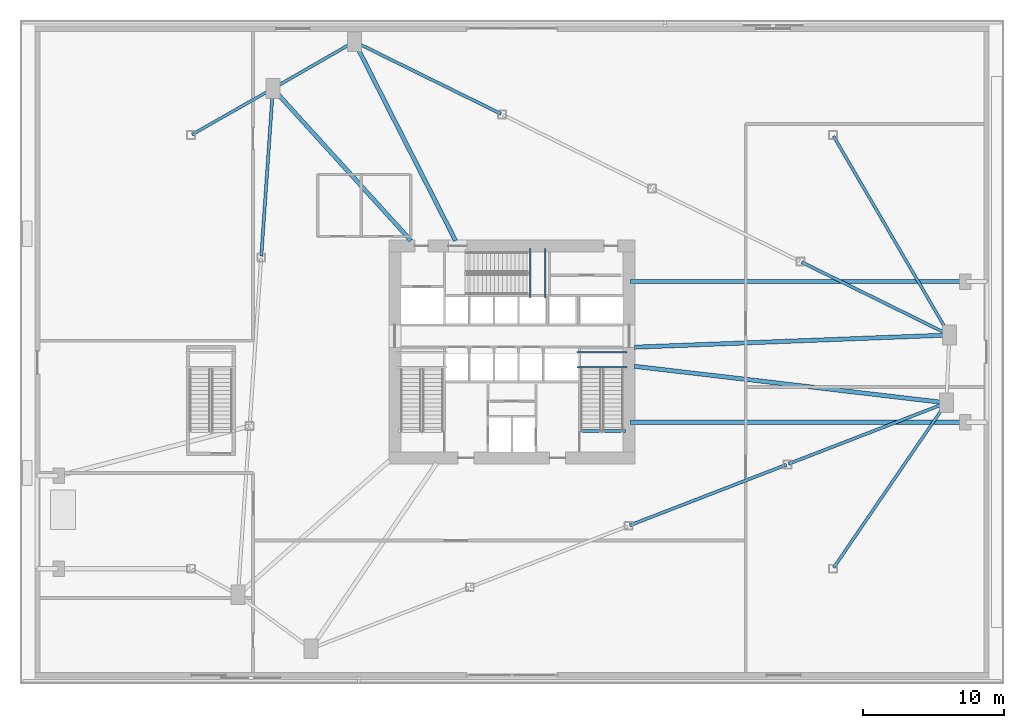
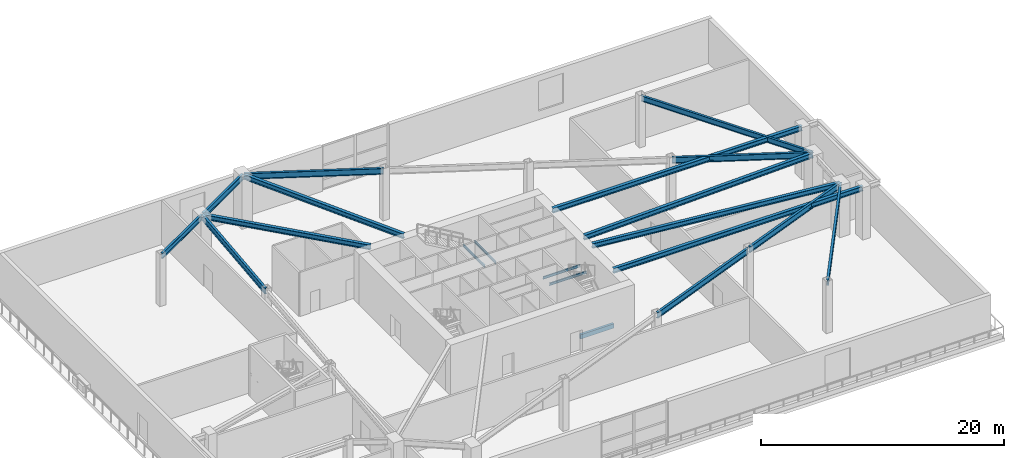
# One storey, part 5 of 15: 20 beams.
"""IFC4 building model written with IfcOpenShell, lengths in metres."""

import ifcopenshell
import ifcopenshell.guid

model = None  # the IFC model being written
_history = None  # IfcOwnerHistory: only IFC2X3 demands one
_inside = {}  # id of a spatial element -> (the spatial element, [elements in it])
_under = {}  # id of a project, library or spatial element -> (it, [spatial elements below it])
_declared = {}  # id of a project -> (the project, [libraries it declares])
_typed = {}  # id of a type object -> (the type object, [elements of that type])
_made_of = {}  # id of a material, layer set ... -> (it, [elements and type objects made of it])


def new_model(schema):
    """Start an empty IFC model of exactly this schema.

    Asked for "IFC4X3", IfcOpenShell would pick the latest addendum, in which some entities
    have other attributes; the version numbers below select the first issue.
    IFC2X3 requires an IfcOwnerHistory on every rooted entity: one is made here for all.
    """
    global model, _history
    if schema == "IFC4X3":
        model = ifcopenshell.file(schema_version=(4, 3, 0, 0))
    else:
        model = ifcopenshell.file(schema=schema)
    _inside.clear()
    _under.clear()
    _declared.clear()
    _typed.clear()
    _made_of.clear()
    _history = None
    if model.schema == "IFC2X3":
        org = make("IfcOrganization", Name="unknown")
        user = make(
            "IfcPersonAndOrganization",
            ThePerson=make("IfcPerson", FamilyName="unknown"),
            TheOrganization=org,
        )
        app = make(
            "IfcApplication",
            ApplicationDeveloper=org,
            Version="unknown",
            ApplicationFullName="unknown",
            ApplicationIdentifier="unknown",
        )
        _history = make(
            "IfcOwnerHistory",
            OwningUser=user,
            OwningApplication=app,
            ChangeAction="ADDED",
            CreationDate=0,
        )
    return model


def make(cls, **values):
    """One entity of the class cls with the attributes given. An attribute that is None is left unset."""
    return model.create_entity(
        cls, **{name: value for name, value in values.items() if value is not None}
    )


def rooted(cls, **values):
    """An entity with a GlobalId (a new one), such as an element, a storey or a relation."""
    return make(cls, GlobalId=ifcopenshell.guid.new(), OwnerHistory=_history, **values)


def si_unit(unit_type, name, prefix=None):
    """IfcSIUnit, for example si_unit("LENGTHUNIT", "METRE", prefix="MILLI")."""
    return make("IfcSIUnit", UnitType=unit_type, Prefix=prefix, Name=name)


def assignment(units):
    """IfcUnitAssignment: the units of a project."""
    return None if units is None else make("IfcUnitAssignment", Units=units)


def point(xyz):
    """IfcCartesianPoint."""
    return None if xyz is None else make("IfcCartesianPoint", Coordinates=xyz)


def direction(xyz):
    """IfcDirection."""
    return None if xyz is None else make("IfcDirection", DirectionRatios=xyz)


def frame(location, z_axis=None, x_axis=None):
    """IfcAxis2Placement3D, a coordinate frame: its origin and axes. An axis left out is left unset."""
    return make(
        "IfcAxis2Placement3D",
        Location=point(location),
        Axis=direction(z_axis),
        RefDirection=direction(x_axis),
    )


def frame_2d(location, x_axis=None):
    """IfcAxis2Placement2D, a coordinate frame in the plane: its origin and x axis."""
    return make(
        "IfcAxis2Placement2D", Location=point(location), RefDirection=direction(x_axis)
    )


def origin():
    """The frame at (0, 0, 0) with its axes left unset."""
    return frame((0.0, 0.0, 0.0))


def origin_2d():
    """The frame at (0, 0) in the plane with its x axis left unset."""
    return frame_2d((0.0, 0.0))


def place(relative_to, where):
    """IfcLocalPlacement: puts the frame where relative to a parent placement (None: the world)."""
    return make(
        "IfcLocalPlacement", PlacementRelTo=relative_to, RelativePlacement=where
    )


def context(
    kind, dimensions, precision=None, world=None, true_north=None, identifier=None
):
    """IfcGeometricRepresentationContext, for example the 3D "Model" context."""
    return make(
        "IfcGeometricRepresentationContext",
        ContextIdentifier=identifier,
        ContextType=kind,
        CoordinateSpaceDimension=dimensions,
        Precision=precision,
        WorldCoordinateSystem=world,
        TrueNorth=true_north,
    )


def subcontext(parent, identifier, kind, view, scale=None):
    """IfcGeometricRepresentationSubContext, for example "Body" below "Model"."""
    return make(
        "IfcGeometricRepresentationSubContext",
        ContextIdentifier=identifier,
        ContextType=kind,
        ParentContext=parent,
        TargetScale=scale,
        TargetView=view,
    )


def project(units=None, contexts=None):
    """IfcProject with its units and contexts."""
    return rooted(
        "IfcProject",
        Name="project",
        RepresentationContexts=contexts,
        UnitsInContext=assignment(units),
    )


def spatial(cls, under=None, at=None, **own):
    """A site, building, storey or space (cls), placed at a placement, below another one or the project."""
    s = rooted(cls, ObjectPlacement=at, **own)
    if under is not None:
        _under.setdefault(under.id(), (under, []))[1].append(s)
    return s


def profile(cls, at=None, kind="AREA", **sizes):
    """A parametric profile (cls). Its sizes go by their IFC names, for example OverallWidth=200.0."""
    return make(cls, ProfileType=kind, Position=at, **sizes)


def rectangle(**sizes):
    """IfcRectangleProfileDef."""
    return profile("IfcRectangleProfileDef", **sizes)


def i_section(**sizes):
    """IfcIShapeProfileDef."""
    return profile("IfcIShapeProfileDef", **sizes)


def extrude(swept, where, along, depth):
    """IfcExtrudedAreaSolid: the profile swept, set in the frame where, extruded along a direction by depth."""
    return make(
        "IfcExtrudedAreaSolid",
        SweptArea=swept,
        Position=where,
        ExtrudedDirection=direction(along),
        Depth=depth,
    )


def shape(context_of_items, identifier, shape_type, items):
    """IfcShapeRepresentation: the items that make up one representation, for example the "Body"."""
    return make(
        "IfcShapeRepresentation",
        ContextOfItems=context_of_items,
        RepresentationIdentifier=identifier,
        RepresentationType=shape_type,
        Items=items,
    )


def source(mapping_origin, context_of_items, identifier, shape_type, items):
    """IfcRepresentationMap: a shape defined once, which mapped items show again and again."""
    return make(
        "IfcRepresentationMap",
        MappingOrigin=mapping_origin,
        MappedRepresentation=shape(context_of_items, identifier, shape_type, items),
    )


def transform(
    local_origin,
    x_axis=None,
    y_axis=None,
    z_axis=None,
    scale=None,
    scale2=None,
    scale3=None,
    uniform=True,
):
    """IfcCartesianTransformationOperator3D, or its non-uniform kind. x_axis, y_axis, z_axis: its Axis1, 2, 3."""
    if uniform:
        return make(
            "IfcCartesianTransformationOperator3D",
            Axis1=direction(x_axis),
            Axis2=direction(y_axis),
            LocalOrigin=point(local_origin),
            Scale=scale,
            Axis3=direction(z_axis),
        )
    return make(
        "IfcCartesianTransformationOperator3DnonUniform",
        Axis1=direction(x_axis),
        Axis2=direction(y_axis),
        LocalOrigin=point(local_origin),
        Scale=scale,
        Axis3=direction(z_axis),
        Scale2=scale2,
        Scale3=scale3,
    )


def mapped(mapping_source, mapping_target):
    """IfcMappedItem: shows the shape of a source again, moved by a transform."""
    return make(
        "IfcMappedItem", MappingSource=mapping_source, MappingTarget=mapping_target
    )


def material(Name=None, Category=None):
    """IfcMaterial."""
    return make("IfcMaterial", Name=Name, Category=Category)


def material_profile(
    of_material, cross_section, Name=None, Category=None, Priority=None
):
    """IfcMaterialProfile: a cross section and its material."""
    return make(
        "IfcMaterialProfile",
        Name=Name,
        Material=of_material,
        Profile=cross_section,
        Priority=Priority,
        Category=Category,
    )


def profile_set(profiles, Name=None, composite=None):
    """IfcMaterialProfileSet."""
    return make(
        "IfcMaterialProfileSet",
        Name=Name,
        MaterialProfiles=profiles,
        CompositeProfile=composite,
    )


def made_of(thing, what):
    """Note that an element or type object is made of a material, layer set ...; save() writes the relation."""
    if what is not None:
        _made_of.setdefault(what.id(), (what, []))[1].append(thing)
    return thing


def type_object(cls, material=None, **own):
    """A type object (cls), such as IfcWallType, which elements share."""
    return made_of(rooted(cls, **own), material)


def element(
    cls,
    number,
    at=None,
    inside=None,
    cuts=None,
    type_object=None,
    material=None,
    context=None,
    identifier="Body",
    shape_type=None,
    held_by="IfcProductDefinitionShape",
    body=None,
    shapes=None,
    **own,
):
    """One element of the class cls, such as IfcWall. Its Tag is "e" and its number.

    at: its placement. inside: the storey or other place that contains it. cuts: it is an
    opening in that element (IfcRelVoidsElement). A single representation is given by context,
    identifier, shape_type and body (its items); several are given by shapes. held_by: the class
    of the entity that holds the representations. save() writes the other relations.
    """
    e = rooted(cls, Tag="e%d" % number, ObjectPlacement=at, **own)
    if body is not None:
        shapes = [shape(context, identifier, shape_type, body)]
    if shapes is not None:
        e.Representation = make(held_by, Representations=shapes)
    if inside is not None:
        _inside.setdefault(inside.id(), (inside, []))[1].append(e)
    if cuts is not None:
        rooted(
            "IfcRelVoidsElement", RelatingBuildingElement=cuts, RelatedOpeningElement=e
        )
    if type_object is not None:
        _typed.setdefault(type_object.id(), (type_object, []))[1].append(e)
    return made_of(e, material)


def aggregate(whole, parts):
    """IfcRelAggregates: a whole, such as a stair, and the parts it consists of."""
    return rooted("IfcRelAggregates", RelatingObject=whole, RelatedObjects=parts)


def save(model, path):
    """Write the relations noted so far, then the file.

    IfcRelAggregates (storeys below a building ...), IfcRelContainedInSpatialStructure (elements
    in a storey), IfcRelDefinesByType, IfcRelAssociatesMaterial and IfcRelDeclares: one each for
    every whole, place, type object, material and project.
    """
    for whole, parts in _under.values():
        aggregate(whole, parts)
    for where, things in _inside.values():
        rooted(
            "IfcRelContainedInSpatialStructure",
            RelatedElements=things,
            RelatingStructure=where,
        )
    for kind, things in _typed.values():
        rooted("IfcRelDefinesByType", RelatedObjects=things, RelatingType=kind)
    for what, things in _made_of.values():
        rooted("IfcRelAssociatesMaterial", RelatedObjects=things, RelatingMaterial=what)
    for by, libraries in _declared.values():
        rooted("IfcRelDeclares", RelatingContext=by, RelatedDefinitions=libraries)
    model.write(path)


model = new_model("IFC4")

# Units and contexts
model_context = context("Model", 3, precision=1e-05, world=origin(), true_north=direction((0.0, 1.0)))
body_context = subcontext(model_context, "Body", "Model", "MODEL_VIEW")
ifc_project = project(units=[si_unit("LENGTHUNIT", "METRE"), si_unit("AREAUNIT", "SQUARE_METRE"), si_unit("VOLUMEUNIT", "CUBIC_METRE"), si_unit("PLANEANGLEUNIT", "RADIAN"), si_unit("MASSUNIT", "GRAM", prefix="KILO")], contexts=[model_context])

# Site, building, storey
site_placement = place(None, origin())
site = spatial("IfcSite", under=ifc_project, at=site_placement, CompositionType="ELEMENT")
building_placement = place(site_placement, origin())
building = spatial("IfcBuilding", under=site, at=building_placement, Name="Olszyna Solenne Hotel", CompositionType="ELEMENT")
storey_placement = place(building_placement, frame((0.0, 0.0, 10.199951171875)))
storey = spatial("IfcBuildingStorey", under=building, at=storey_placement, Name="L02", CompositionType="ELEMENT", Elevation=10.199951171875)

# Beams
ifc_material_1 = material(Name="Steel S355J2", Category="steel")
ifc_material_profile_1 = material_profile(ifc_material_1, i_section(OverallWidth=0.300048828125, OverallDepth=0.489990234375, WebThickness=0.011962890625, FlangeThickness=0.02294921875, at=origin_2d()), Name="HEA 500", Category="load-bearing")
ifc_profile_set_1 = profile_set([ifc_material_profile_1], Name="Steel S355J2")
beam_type_1 = type_object("IfcBeamType", Name="BM-G1", PredefinedType="BEAM", material=ifc_profile_set_1)
shared_shape_1 = source(origin(), body_context, "Body", "SweptSolid", [
    extrude(i_section(OverallWidth=0.300048828125, OverallDepth=0.489990234375, WebThickness=0.011962890625, FlangeThickness=0.02294921875, at=origin_2d()), origin(), (0.0, 0.0, 1.0), 22.2294921875),
])
beam_1_placement = place(storey_placement, frame((68.778564453125, 22.993896484375, 4.8349609375), z_axis=(-0.993206789888, 0.116362676665, 0.0), x_axis=(-0.116362676665, -0.993206789888, 0.0)))
element("IfcBeam", 1, at=beam_1_placement, inside=storey, type_object=beam_type_1, Name="Podium radial girder BM-G1 B-L02-0090", PredefinedType="BEAM", context=body_context, shape_type="MappedRepresentation", body=[
    mapped(shared_shape_1, transform((0.0, 0.0, 0.0), x_axis=(1.0, 0.0, 0.0), y_axis=(0.0, 1.0, 0.0), z_axis=(0.0, 0.0, 1.0), scale=1.0)),
])
shared_shape_2 = source(origin(), body_context, "Body", "SweptSolid", [
    extrude(i_section(OverallWidth=0.300048828125, OverallDepth=0.489990234375, WebThickness=0.011962890625, FlangeThickness=0.02294921875, at=origin_2d()), origin(), (0.0, 0.0, 1.0), 22.309326171875),
])
beam_2_placement = place(storey_placement, frame((68.99267578125, 27.7998046875, 4.8349609375), z_axis=(-0.999251460368, -0.038684867238, 0.0), x_axis=(0.038684867238, -0.999251460368, 0.0)))
element("IfcBeam", 2, at=beam_2_placement, inside=storey, type_object=beam_type_1, Name="Podium radial girder BM-G1 B-L02-0092", PredefinedType="BEAM", context=body_context, shape_type="MappedRepresentation", body=[
    mapped(shared_shape_2, transform((0.0, 0.0, 0.0), x_axis=(1.0, 0.0, 0.0), y_axis=(0.0, 1.0, 0.0), z_axis=(0.0, 0.0, 1.0), scale=1.0)),
])
shared_shape_3 = source(origin(), body_context, "Body", "SweptSolid", [
    extrude(i_section(OverallWidth=0.300048828125, OverallDepth=0.489990234375, WebThickness=0.011962890625, FlangeThickness=0.02294921875, at=origin_2d()), origin(), (0.0, 0.0, 1.0), 15.77392578125),
])
beam_3_placement = place(storey_placement, frame((26.84521484375, 48.5703125, 4.8349609375), z_axis=(0.452702772285, -0.891661482832, 0.0), x_axis=(0.891661482832, 0.452702772285, 0.0)))
element("IfcBeam", 3, at=beam_3_placement, inside=storey, type_object=beam_type_1, Name="Podium radial girder BM-G1 B-L02-0094", PredefinedType="BEAM", context=body_context, shape_type="MappedRepresentation", body=[
    mapped(shared_shape_3, transform((0.0, 0.0, 0.0), x_axis=(1.0, 0.0, 0.0), y_axis=(0.0, 1.0, 0.0), z_axis=(0.0, 0.0, 1.0), scale=1.0)),
])
ifc_material_profile_2 = material_profile(ifc_material_1, i_section(OverallWidth=0.2099609375, OverallDepth=0.550048828125, WebThickness=0.010986328125, FlangeThickness=0.01708984375, at=origin_2d()), Name="IPE 550", Category="load-bearing")
ifc_profile_set_2 = profile_set([ifc_material_profile_2], Name="Steel S355J2")
beam_type_2 = type_object("IfcBeamType", Name="BM-F2", PredefinedType="BEAM", material=ifc_profile_set_2)
shared_shape_4 = source(origin(), body_context, "Body", "SweptSolid", [
    extrude(i_section(OverallWidth=0.2099609375, OverallDepth=0.550048828125, WebThickness=0.010986328125, FlangeThickness=0.01708984375, at=origin_2d()), origin(), (0.0, 0.0, 1.0), 14.1162109375),
])
beam_4_placement = place(storey_placement, frame((60.84521484375, 11.26611328125, 4.804931640625), z_axis=(0.564440227012, 0.825473942733, 0.0), x_axis=(-0.825473942733, 0.564440227012, 0.0)))
element("IfcBeam", 4, at=beam_4_placement, inside=storey, type_object=beam_type_2, Name="Podium terrace girder BM-F2 B-L02-0113", PredefinedType="BEAM", context=body_context, shape_type="MappedRepresentation", body=[
    mapped(shared_shape_4, transform((0.0, 0.0, 0.0), x_axis=(1.0, 0.0, 0.0), y_axis=(0.0, 1.0, 0.0), z_axis=(0.0, 0.0, 1.0), scale=1.0)),
])
shared_shape_5 = source(origin(), body_context, "Body", "SweptSolid", [
    extrude(i_section(OverallWidth=0.2099609375, OverallDepth=0.550048828125, WebThickness=0.010986328125, FlangeThickness=0.01708984375, at=origin_2d()), origin(), (0.0, 0.0, 1.0), 16.271484375),
])
beam_5_placement = place(storey_placement, frame((60.84033203125, 41.930908203125, 4.804931640625), z_axis=(0.503453956375, -0.864022056322, 0.0), x_axis=(0.864022056322, 0.503453956375, 0.0)))
element("IfcBeam", 5, at=beam_5_placement, inside=storey, type_object=beam_type_2, Name="Podium terrace girder BM-F2 B-L02-0114", PredefinedType="BEAM", context=body_context, shape_type="MappedRepresentation", body=[
    mapped(shared_shape_5, transform((0.0, 0.0, 0.0), x_axis=(1.0, 0.0, 0.0), y_axis=(0.0, 1.0, 0.0), z_axis=(0.0, 0.0, 1.0), scale=1.0)),
])
shared_shape_6 = source(origin(), body_context, "Body", "SweptSolid", [
    extrude(i_section(OverallWidth=0.300048828125, OverallDepth=0.489990234375, WebThickness=0.011962890625, FlangeThickness=0.02294921875, at=origin_2d()), origin(), (0.0, 0.0, 1.0), 14.502197265625),
])
beam_6_placement = place(storey_placement, frame((21.068115234375, 45.250244140625, 4.8349609375), z_axis=(0.672176589992, -0.740390864252, 0.0), x_axis=(0.740390864252, 0.672176589992, 0.0)))
element("IfcBeam", 6, at=beam_6_placement, inside=storey, type_object=beam_type_1, Name="Podium radial girder BM-G1 B-L02-0096", PredefinedType="BEAM", context=body_context, shape_type="MappedRepresentation", body=[
    mapped(shared_shape_6, transform((0.0, 0.0, 0.0), x_axis=(1.0, 0.0, 0.0), y_axis=(0.0, 1.0, 0.0), z_axis=(0.0, 0.0, 1.0), scale=1.0)),
])
shared_shape_7 = source(origin(), body_context, "Body", "SweptSolid", [
    extrude(i_section(OverallWidth=0.300048828125, OverallDepth=0.489990234375, WebThickness=0.011962890625, FlangeThickness=0.02294921875, at=origin_2d()), origin(), (0.0, 0.0, 1.0), 23.739990234375),
])
for number, where, z_axis, x_axis, name in (
    (7, (46.39990234375, 21.60009765625, 4.8349609375), (1.0, 0.0, 0.0), (0.0, 1.0, 0.0), "Terrace East interior back-span girder BM-G1 B-L02-0106"),
    (8, (46.39990234375, 31.60009765625, 4.8349609375), (1.0, 0.0, 0.0), (0.0, 1.0, 0.0), "Terrace East interior back-span girder BM-G1 B-L02-0108"),
):
    element("IfcBeam", number, at=place(storey_placement, frame(where, z_axis=z_axis, x_axis=x_axis)), inside=storey, type_object=beam_type_1, Name=name, PredefinedType="BEAM", context=body_context, shape_type="MappedRepresentation", body=[
        mapped(shared_shape_7, transform((0.0, 0.0, 0.0), x_axis=(1.0, 0.0, 0.0), y_axis=(0.0, 1.0, 0.0), z_axis=(0.0, 0.0, 1.0), scale=1.0)),
    ])
shared_shape_8 = source(origin(), body_context, "Body", "SweptSolid", [
    extrude(i_section(OverallWidth=0.2099609375, OverallDepth=0.550048828125, WebThickness=0.010986328125, FlangeThickness=0.01708984375, at=origin_2d()), origin(), (0.0, 0.0, 1.0), 6.5302734375),
])
beam_7_placement = place(storey_placement, frame((15.26953125, 42.03955078125, 4.804931640625), z_axis=(0.869086244162, 0.494660590919, 0.0), x_axis=(-0.494660590919, 0.869086244162, 0.0)))
element("IfcBeam", 9, at=beam_7_placement, inside=storey, type_object=beam_type_2, Name="Podium terrace girder BM-F2 B-L02-0112", PredefinedType="BEAM", context=body_context, shape_type="MappedRepresentation", body=[
    mapped(shared_shape_8, transform((0.0, 0.0, 0.0), x_axis=(1.0, 0.0, 0.0), y_axis=(0.0, 1.0, 0.0), z_axis=(0.0, 0.0, 1.0), scale=1.0)),
])
ifc_material_profile_3 = material_profile(ifc_material_1, i_section(OverallWidth=0.219970703125, OverallDepth=0.60009765625, WebThickness=0.011962890625, FlangeThickness=0.01904296875, at=origin_2d()), Name="IPE 600", Category="load-bearing")
ifc_profile_set_3 = profile_set([ifc_material_profile_3], Name="Steel S355J2")
beam_type_3 = type_object("IfcBeamType", Name="BM-F1", PredefinedType="BEAM", material=ifc_profile_set_3)
shared_shape_9 = source(origin(), body_context, "Body", "SweptSolid", [
    extrude(i_section(OverallWidth=0.219970703125, OverallDepth=0.60009765625, WebThickness=0.011962890625, FlangeThickness=0.01904296875, at=origin_2d()), origin(), (0.0, 0.0, 1.0), 11.6201171875),
])
beam_8_placement = place(storey_placement, frame((69.000732421875, 27.83837890625, 4.780029296875), z_axis=(-0.896896785097, 0.442239931352, 0.0), x_axis=(-0.442239931352, -0.896896785097, 0.0)))
element("IfcBeam", 10, at=beam_8_placement, inside=storey, type_object=beam_type_3, Name="Podium ring girder BM-F1 B-L02-0091", PredefinedType="BEAM", context=body_context, shape_type="MappedRepresentation", body=[
    mapped(shared_shape_9, transform((0.0, 0.0, 0.0), x_axis=(1.0, 0.0, 0.0), y_axis=(0.0, 1.0, 0.0), z_axis=(0.0, 0.0, 1.0), scale=1.0)),
])
shared_shape_10 = source(origin(), body_context, "Body", "SweptSolid", [
    extrude(i_section(OverallWidth=0.219970703125, OverallDepth=0.60009765625, WebThickness=0.011962890625, FlangeThickness=0.01904296875, at=origin_2d()), origin(), (0.0, 0.0, 1.0), 11.5224609375),
])
beam_9_placement = place(storey_placement, frame((37.215087890625, 43.510498046875, 4.780029296875), z_axis=(-0.896896659494, 0.442240186085, 0.0), x_axis=(-0.442240186085, -0.896896659494, 0.0)))
element("IfcBeam", 11, at=beam_9_placement, inside=storey, type_object=beam_type_3, Name="Podium ring girder BM-F1 BRG-L02-24", PredefinedType="BEAM", context=body_context, shape_type="MappedRepresentation", body=[
    mapped(shared_shape_10, transform((0.0, 0.0, 0.0), x_axis=(1.0, 0.0, 0.0), y_axis=(0.0, 1.0, 0.0), z_axis=(0.0, 0.0, 1.0), scale=1.0)),
])
shared_shape_11 = source(origin(), body_context, "Body", "SweptSolid", [
    extrude(i_section(OverallWidth=0.219970703125, OverallDepth=0.60009765625, WebThickness=0.011962890625, FlangeThickness=0.01904296875, at=origin_2d()), origin(), (0.0, 0.0, 1.0), 6.524169921875),
])
beam_10_placement = place(storey_placement, frame((26.739501953125, 48.601806640625, 4.780029296875), z_axis=(-0.866881237844, -0.498514713397, 0.0), x_axis=(0.498514713397, -0.866881237844, 0.0)))
element("IfcBeam", 12, at=beam_10_placement, inside=storey, type_object=beam_type_3, Name="Podium ring girder BM-F1 B-L02-0093", PredefinedType="BEAM", context=body_context, shape_type="MappedRepresentation", body=[
    mapped(shared_shape_11, transform((0.0, 0.0, 0.0), x_axis=(1.0, 0.0, 0.0), y_axis=(0.0, 1.0, 0.0), z_axis=(0.0, 0.0, 1.0), scale=1.0)),
])
shared_shape_12 = source(origin(), body_context, "Body", "SweptSolid", [
    extrude(i_section(OverallWidth=0.219970703125, OverallDepth=0.60009765625, WebThickness=0.011962890625, FlangeThickness=0.01904296875, at=origin_2d()), origin(), (0.0, 0.0, 1.0), 11.857666015625),
])
beam_11_placement = place(storey_placement, frame((21.0087890625, 45.2294921875, 4.780029296875), z_axis=(-0.068850141024, -0.997627013508, 0.0), x_axis=(0.997627013508, -0.068850141024, 0.0)))
element("IfcBeam", 13, at=beam_11_placement, inside=storey, type_object=beam_type_3, Name="Podium ring girder BM-F1 B-L02-0095", PredefinedType="BEAM", context=body_context, shape_type="MappedRepresentation", body=[
    mapped(shared_shape_12, transform((0.0, 0.0, 0.0), x_axis=(1.0, 0.0, 0.0), y_axis=(0.0, 1.0, 0.0), z_axis=(0.0, 0.0, 1.0), scale=1.0)),
])
shared_shape_13 = source(origin(), body_context, "Body", "SweptSolid", [
    extrude(i_section(OverallWidth=0.219970703125, OverallDepth=0.60009765625, WebThickness=0.011962890625, FlangeThickness=0.01904296875, at=origin_2d()), origin(), (0.0, 0.0, 1.0), 11.94091796875),
])
for number, where, z_axis, x_axis, name in (
    (14, (46.36083984375, 14.28125, 4.780029296875), (0.932642459435, 0.360801944091, 0.0), (-0.360801944091, 0.932642459435, 0.0), "Podium ring girder BM-F1 BRG-L02-63"),
    (15, (57.646728515625, 18.6474609375, 4.780029296875), (0.932642459435, 0.360801944091, 0.0), (-0.360801944091, 0.932642459435, 0.0), "Podium ring girder BM-F1 BRG-L02-64"),
):
    element("IfcBeam", number, at=place(storey_placement, frame(where, z_axis=z_axis, x_axis=x_axis)), inside=storey, type_object=beam_type_3, Name=name, PredefinedType="BEAM", context=body_context, shape_type="MappedRepresentation", body=[
        mapped(shared_shape_13, transform((0.0, 0.0, 0.0), x_axis=(1.0, 0.0, 0.0), y_axis=(0.0, 1.0, 0.0), z_axis=(0.0, 0.0, 1.0), scale=1.0)),
    ])
ifc_material_profile_4 = material_profile(ifc_material_1, i_section(OverallWidth=0.1201171875, OverallDepth=0.239990234375, WebThickness=0.006103515625, FlangeThickness=0.009765625, at=origin_2d()), Name="IPE 240", Category="load-bearing")
ifc_profile_set_4 = profile_set([ifc_material_profile_4], Name="Steel S355J2")
beam_type_4 = type_object("IfcBeamType", Name="JS-03", PredefinedType="JOIST", material=ifc_profile_set_4)
shared_shape_14 = source(origin(), body_context, "Body", "SweptSolid", [
    extrude(i_section(OverallWidth=0.1201171875, OverallDepth=0.239990234375, WebThickness=0.006103515625, FlangeThickness=0.009765625, at=origin_2d()), origin(), (0.0, 0.0, 1.0), 3.539794921875),
])
for number, where, z_axis, x_axis, name in (
    (16, (46.159912109375, 25.52001953125, 2.375), (-1.0, 0.0, 0.0), (0.0, -1.0, 0.0), "Stair landing support beam JS-03 SLB-ST2-0249"),
    (17, (46.159912109375, 26.580078125, 2.375), (-1.0, 0.0, 0.0), (0.0, -1.0, 0.0), "Stair landing support beam JS-03 SLB-ST2-0250"),
):
    element("IfcBeam", number, at=place(storey_placement, frame(where, z_axis=z_axis, x_axis=x_axis)), inside=storey, type_object=beam_type_4, Name=name, PredefinedType="JOIST", context=body_context, shape_type="MappedRepresentation", body=[
        mapped(shared_shape_14, transform((0.0, 0.0, 0.0), x_axis=(1.0, 0.0, 0.0), y_axis=(0.0, 1.0, 0.0), z_axis=(0.0, 0.0, 1.0), scale=1.0)),
    ])
ifc_material_2 = material(Name="Concrete C50/60", Category="concrete")
ifc_material_profile_5 = material_profile(ifc_material_2, rectangle(XDim=0.219970703125, YDim=0.43994140625, at=origin_2d()), Name="RC 220x440", Category="load-bearing")
ifc_profile_set_5 = profile_set([ifc_material_profile_5], Name="Concrete C50/60")
beam_type_5 = type_object("IfcBeamType", Name="BM-ST1", PredefinedType="BEAM", material=ifc_profile_set_5)
shared_shape_15 = source(origin(), body_context, "Body", "SweptSolid", [
    extrude(rectangle(XDim=0.219970703125, YDim=0.43994140625, at=origin_2d()), origin(), (0.0, 0.0, 1.0), 3.18017578125),
])
beam_12_placement = place(storey_placement, frame((46.080078125, 20.97998046875, -0.204833984375), z_axis=(-1.0, 0.0, 0.0), x_axis=(0.0, -1.0, 0.0)))
element("IfcBeam", 18, at=beam_12_placement, inside=storey, type_object=beam_type_5, Name="Concrete stair trimmer beam BM-ST1 SHB-ST2-0404", PredefinedType="BEAM", context=body_context, shape_type="MappedRepresentation", body=[
    mapped(shared_shape_15, transform((0.0, 0.0, 0.0), x_axis=(1.0, 0.0, 0.0), y_axis=(0.0, 1.0, 0.0), z_axis=(0.0, 0.0, 1.0), scale=1.0)),
])
shared_shape_16 = source(origin(), body_context, "Body", "SweptSolid", [
    extrude(i_section(OverallWidth=0.1201171875, OverallDepth=0.239990234375, WebThickness=0.006103515625, FlangeThickness=0.009765625, at=origin_2d()), origin(), (0.0, 0.0, 1.0), 3.5400390625),
])
for number, where, z_axis, x_axis, name in (
    (19, (39.300048828125, 30.419921875, 2.375), (0.0, 1.0, 0.0), (-1.0, 0.0, 0.0), "Stair landing support beam JS-03 SLB-ST3-0489"),
    (20, (40.360107421875, 30.419921875, 2.375), (0.0, 1.0, 0.0), (-1.0, 0.0, 0.0), "Stair landing support beam JS-03 SLB-ST3-0490"),
):
    element("IfcBeam", number, at=place(storey_placement, frame(where, z_axis=z_axis, x_axis=x_axis)), inside=storey, type_object=beam_type_4, Name=name, PredefinedType="JOIST", context=body_context, shape_type="MappedRepresentation", body=[
        mapped(shared_shape_16, transform((0.0, 0.0, 0.0), x_axis=(1.0, 0.0, 0.0), y_axis=(0.0, 1.0, 0.0), z_axis=(0.0, 0.0, 1.0), scale=1.0)),
    ])

save(model, "model.ifc")
